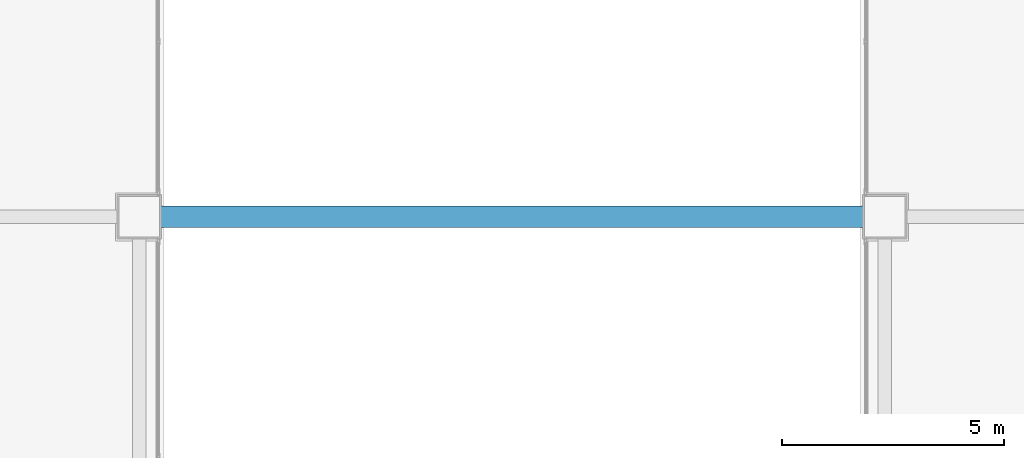
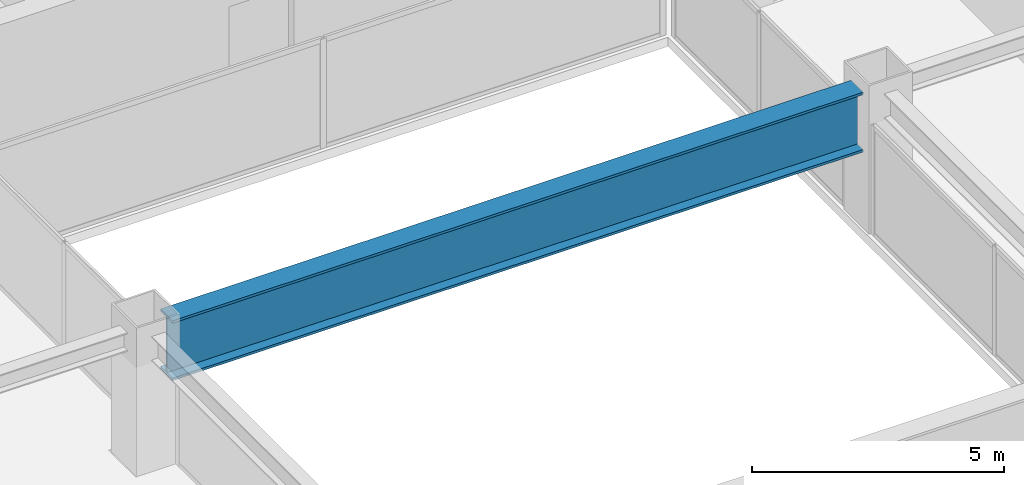
# One storey, part 9 of 32: 1 beam.
"""IFC4 building model written with IfcOpenShell, lengths in metres."""

from ifc_helpers import new_model, si_unit, direction, frame, origin, origin_2d, place, context, subcontext, project, spatial, i_section, extrude, source, transform, mapped, material, material_profile, profile_set, type_object, element, save


model = new_model("IFC4")

# Units and contexts
model_context = context("Model", 3, precision=1e-05, world=origin(), true_north=direction((0.0, 1.0)))
body_context = subcontext(model_context, "Body", "Model", "MODEL_VIEW")
ifc_project = project(units=[si_unit("LENGTHUNIT", "METRE"), si_unit("AREAUNIT", "SQUARE_METRE"), si_unit("VOLUMEUNIT", "CUBIC_METRE"), si_unit("PLANEANGLEUNIT", "RADIAN"), si_unit("MASSUNIT", "GRAM", prefix="KILO")], contexts=[model_context])

# Site, building, storey
site_placement = place(None, origin())
site = spatial("IfcSite", under=ifc_project, at=site_placement, CompositionType="ELEMENT")
building_placement = place(site_placement, origin())
building = spatial("IfcBuilding", under=site, at=building_placement, Name="Sumidabori Civic Tower", CompositionType="ELEMENT")
storey_placement = place(building_placement, frame((0.0, 0.0, 225.199951171875)))
storey = spatial("IfcBuildingStorey", under=building, at=storey_placement, Name="L58", CompositionType="ELEMENT", Elevation=225.199951171875)

# Beam
ifc_material = material(Name="Steel SM570", Category="steel")
ifc_material_profile = material_profile(ifc_material, i_section(OverallWidth=0.47998046875, OverallDepth=1.449951171875, WebThickness=0.033935546875, FlangeThickness=0.06005859375, at=origin_2d()), Name="WTG 1450x480")
ifc_profile_set = profile_set([ifc_material_profile], Name="Steel SM570")
beam_type = type_object("IfcBeamType", Name="BM-PT-CHORD", PredefinedType="BEAM", material=ifc_profile_set)
shared_shape = source(origin(), body_context, "Body", "SweptSolid", [
    extrude(i_section(OverallWidth=0.47998046875, OverallDepth=1.449951171875, WebThickness=0.033935546875, FlangeThickness=0.06005859375, at=origin_2d()), origin(), (0.0, 0.0, 1.0), 15.83984375),
])
beam_placement = place(storey_placement, frame((-7.919921875, 0.0, 2.554931640625), z_axis=(1.0, 0.0, 0.0), x_axis=(0.0, 1.0, 0.0)))
element("IfcBeam", 1, at=beam_placement, inside=storey, type_object=beam_type, Name="Portal Bridge Transfer Girder Bottom Chord PT2-B1", PredefinedType="BEAM", context=body_context, shape_type="MappedRepresentation", body=[
    mapped(shared_shape, transform((0.0, 0.0, 0.0), x_axis=(1.0, 0.0, 0.0), y_axis=(0.0, 1.0, 0.0), z_axis=(0.0, 0.0, 1.0), scale=1.0)),
])

save(model, "model.ifc")
